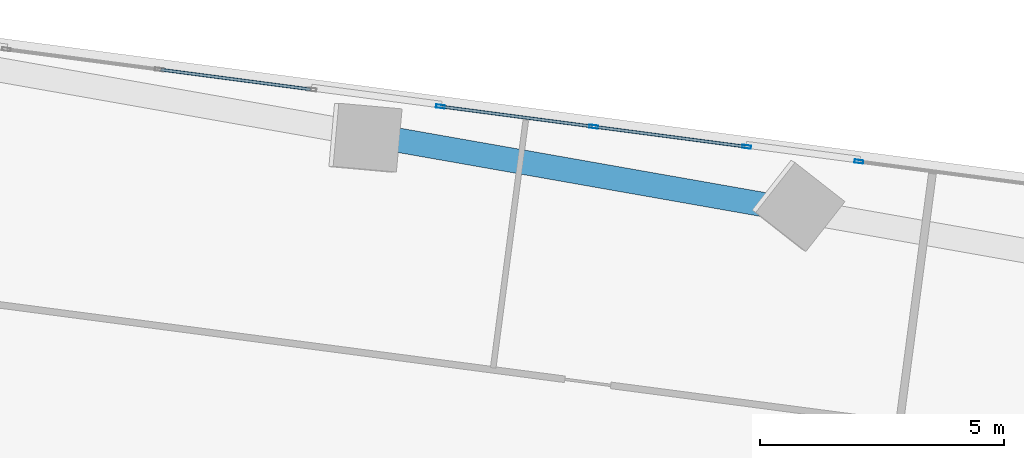
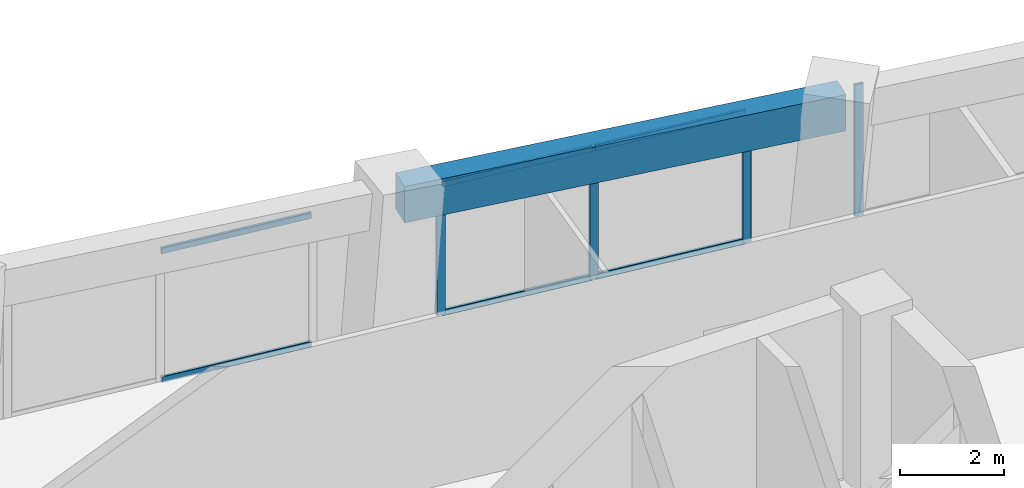
# One storey, part 14 of 24: 10 members, 1 beam, 3 elements without a shape of their own.
"""IFC4 building model written with IfcOpenShell, lengths in metres."""

import ifcopenshell
import ifcopenshell.guid

model = None  # the IFC model being written
_history = None  # IfcOwnerHistory: only IFC2X3 demands one
_inside = {}  # id of a spatial element -> (the spatial element, [elements in it])
_under = {}  # id of a project, library or spatial element -> (it, [spatial elements below it])
_declared = {}  # id of a project -> (the project, [libraries it declares])
_typed = {}  # id of a type object -> (the type object, [elements of that type])
_made_of = {}  # id of a material, layer set ... -> (it, [elements and type objects made of it])


def new_model(schema):
    """Start an empty IFC model of exactly this schema.

    Asked for "IFC4X3", IfcOpenShell would pick the latest addendum, in which some entities
    have other attributes; the version numbers below select the first issue.
    IFC2X3 requires an IfcOwnerHistory on every rooted entity: one is made here for all.
    """
    global model, _history
    if schema == "IFC4X3":
        model = ifcopenshell.file(schema_version=(4, 3, 0, 0))
    else:
        model = ifcopenshell.file(schema=schema)
    _inside.clear()
    _under.clear()
    _declared.clear()
    _typed.clear()
    _made_of.clear()
    _history = None
    if model.schema == "IFC2X3":
        org = make("IfcOrganization", Name="unknown")
        user = make(
            "IfcPersonAndOrganization",
            ThePerson=make("IfcPerson", FamilyName="unknown"),
            TheOrganization=org,
        )
        app = make(
            "IfcApplication",
            ApplicationDeveloper=org,
            Version="unknown",
            ApplicationFullName="unknown",
            ApplicationIdentifier="unknown",
        )
        _history = make(
            "IfcOwnerHistory",
            OwningUser=user,
            OwningApplication=app,
            ChangeAction="ADDED",
            CreationDate=0,
        )
    return model


def make(cls, **values):
    """One entity of the class cls with the attributes given. An attribute that is None is left unset."""
    return model.create_entity(
        cls, **{name: value for name, value in values.items() if value is not None}
    )


def rooted(cls, **values):
    """An entity with a GlobalId (a new one), such as an element, a storey or a relation."""
    return make(cls, GlobalId=ifcopenshell.guid.new(), OwnerHistory=_history, **values)


def si_unit(unit_type, name, prefix=None):
    """IfcSIUnit, for example si_unit("LENGTHUNIT", "METRE", prefix="MILLI")."""
    return make("IfcSIUnit", UnitType=unit_type, Prefix=prefix, Name=name)


def assignment(units):
    """IfcUnitAssignment: the units of a project."""
    return None if units is None else make("IfcUnitAssignment", Units=units)


def point(xyz):
    """IfcCartesianPoint."""
    return None if xyz is None else make("IfcCartesianPoint", Coordinates=xyz)


def direction(xyz):
    """IfcDirection."""
    return None if xyz is None else make("IfcDirection", DirectionRatios=xyz)


def frame(location, z_axis=None, x_axis=None):
    """IfcAxis2Placement3D, a coordinate frame: its origin and axes. An axis left out is left unset."""
    return make(
        "IfcAxis2Placement3D",
        Location=point(location),
        Axis=direction(z_axis),
        RefDirection=direction(x_axis),
    )


def frame_2d(location, x_axis=None):
    """IfcAxis2Placement2D, a coordinate frame in the plane: its origin and x axis."""
    return make(
        "IfcAxis2Placement2D", Location=point(location), RefDirection=direction(x_axis)
    )


def origin():
    """The frame at (0, 0, 0) with its axes left unset."""
    return frame((0.0, 0.0, 0.0))


def origin_2d():
    """The frame at (0, 0) in the plane with its x axis left unset."""
    return frame_2d((0.0, 0.0))


def place(relative_to, where):
    """IfcLocalPlacement: puts the frame where relative to a parent placement (None: the world)."""
    return make(
        "IfcLocalPlacement", PlacementRelTo=relative_to, RelativePlacement=where
    )


def context(
    kind, dimensions, precision=None, world=None, true_north=None, identifier=None
):
    """IfcGeometricRepresentationContext, for example the 3D "Model" context."""
    return make(
        "IfcGeometricRepresentationContext",
        ContextIdentifier=identifier,
        ContextType=kind,
        CoordinateSpaceDimension=dimensions,
        Precision=precision,
        WorldCoordinateSystem=world,
        TrueNorth=true_north,
    )


def subcontext(parent, identifier, kind, view, scale=None):
    """IfcGeometricRepresentationSubContext, for example "Body" below "Model"."""
    return make(
        "IfcGeometricRepresentationSubContext",
        ContextIdentifier=identifier,
        ContextType=kind,
        ParentContext=parent,
        TargetScale=scale,
        TargetView=view,
    )


def project(units=None, contexts=None):
    """IfcProject with its units and contexts."""
    return rooted(
        "IfcProject",
        Name="project",
        RepresentationContexts=contexts,
        UnitsInContext=assignment(units),
    )


def spatial(cls, under=None, at=None, **own):
    """A site, building, storey or space (cls), placed at a placement, below another one or the project."""
    s = rooted(cls, ObjectPlacement=at, **own)
    if under is not None:
        _under.setdefault(under.id(), (under, []))[1].append(s)
    return s


def profile(cls, at=None, kind="AREA", **sizes):
    """A parametric profile (cls). Its sizes go by their IFC names, for example OverallWidth=200.0."""
    return make(cls, ProfileType=kind, Position=at, **sizes)


def rectangle(**sizes):
    """IfcRectangleProfileDef."""
    return profile("IfcRectangleProfileDef", **sizes)


def hollow_rectangle(**sizes):
    """IfcRectangleHollowProfileDef."""
    return profile("IfcRectangleHollowProfileDef", **sizes)


def extrude(swept, where, along, depth):
    """IfcExtrudedAreaSolid: the profile swept, set in the frame where, extruded along a direction by depth."""
    return make(
        "IfcExtrudedAreaSolid",
        SweptArea=swept,
        Position=where,
        ExtrudedDirection=direction(along),
        Depth=depth,
    )


def shape(context_of_items, identifier, shape_type, items):
    """IfcShapeRepresentation: the items that make up one representation, for example the "Body"."""
    return make(
        "IfcShapeRepresentation",
        ContextOfItems=context_of_items,
        RepresentationIdentifier=identifier,
        RepresentationType=shape_type,
        Items=items,
    )


def source(mapping_origin, context_of_items, identifier, shape_type, items):
    """IfcRepresentationMap: a shape defined once, which mapped items show again and again."""
    return make(
        "IfcRepresentationMap",
        MappingOrigin=mapping_origin,
        MappedRepresentation=shape(context_of_items, identifier, shape_type, items),
    )


def transform(
    local_origin,
    x_axis=None,
    y_axis=None,
    z_axis=None,
    scale=None,
    scale2=None,
    scale3=None,
    uniform=True,
):
    """IfcCartesianTransformationOperator3D, or its non-uniform kind. x_axis, y_axis, z_axis: its Axis1, 2, 3."""
    if uniform:
        return make(
            "IfcCartesianTransformationOperator3D",
            Axis1=direction(x_axis),
            Axis2=direction(y_axis),
            LocalOrigin=point(local_origin),
            Scale=scale,
            Axis3=direction(z_axis),
        )
    return make(
        "IfcCartesianTransformationOperator3DnonUniform",
        Axis1=direction(x_axis),
        Axis2=direction(y_axis),
        LocalOrigin=point(local_origin),
        Scale=scale,
        Axis3=direction(z_axis),
        Scale2=scale2,
        Scale3=scale3,
    )


def mapped(mapping_source, mapping_target):
    """IfcMappedItem: shows the shape of a source again, moved by a transform."""
    return make(
        "IfcMappedItem", MappingSource=mapping_source, MappingTarget=mapping_target
    )


def material(Name=None, Category=None):
    """IfcMaterial."""
    return make("IfcMaterial", Name=Name, Category=Category)


def material_profile(
    of_material, cross_section, Name=None, Category=None, Priority=None
):
    """IfcMaterialProfile: a cross section and its material."""
    return make(
        "IfcMaterialProfile",
        Name=Name,
        Material=of_material,
        Profile=cross_section,
        Priority=Priority,
        Category=Category,
    )


def profile_set(profiles, Name=None, composite=None):
    """IfcMaterialProfileSet."""
    return make(
        "IfcMaterialProfileSet",
        Name=Name,
        MaterialProfiles=profiles,
        CompositeProfile=composite,
    )


def made_of(thing, what):
    """Note that an element or type object is made of a material, layer set ...; save() writes the relation."""
    if what is not None:
        _made_of.setdefault(what.id(), (what, []))[1].append(thing)
    return thing


def type_object(cls, material=None, **own):
    """A type object (cls), such as IfcWallType, which elements share."""
    return made_of(rooted(cls, **own), material)


def element(
    cls,
    number,
    at=None,
    inside=None,
    cuts=None,
    type_object=None,
    material=None,
    context=None,
    identifier="Body",
    shape_type=None,
    held_by="IfcProductDefinitionShape",
    body=None,
    shapes=None,
    **own,
):
    """One element of the class cls, such as IfcWall. Its Tag is "e" and its number.

    at: its placement. inside: the storey or other place that contains it. cuts: it is an
    opening in that element (IfcRelVoidsElement). A single representation is given by context,
    identifier, shape_type and body (its items); several are given by shapes. held_by: the class
    of the entity that holds the representations. save() writes the other relations.
    """
    e = rooted(cls, Tag="e%d" % number, ObjectPlacement=at, **own)
    if body is not None:
        shapes = [shape(context, identifier, shape_type, body)]
    if shapes is not None:
        e.Representation = make(held_by, Representations=shapes)
    if inside is not None:
        _inside.setdefault(inside.id(), (inside, []))[1].append(e)
    if cuts is not None:
        rooted(
            "IfcRelVoidsElement", RelatingBuildingElement=cuts, RelatedOpeningElement=e
        )
    if type_object is not None:
        _typed.setdefault(type_object.id(), (type_object, []))[1].append(e)
    return made_of(e, material)


def aggregate(whole, parts):
    """IfcRelAggregates: a whole, such as a stair, and the parts it consists of."""
    return rooted("IfcRelAggregates", RelatingObject=whole, RelatedObjects=parts)


def save(model, path):
    """Write the relations noted so far, then the file.

    IfcRelAggregates (storeys below a building ...), IfcRelContainedInSpatialStructure (elements
    in a storey), IfcRelDefinesByType, IfcRelAssociatesMaterial and IfcRelDeclares: one each for
    every whole, place, type object, material and project.
    """
    for whole, parts in _under.values():
        aggregate(whole, parts)
    for where, things in _inside.values():
        rooted(
            "IfcRelContainedInSpatialStructure",
            RelatedElements=things,
            RelatingStructure=where,
        )
    for kind, things in _typed.values():
        rooted("IfcRelDefinesByType", RelatedObjects=things, RelatingType=kind)
    for what, things in _made_of.values():
        rooted("IfcRelAssociatesMaterial", RelatedObjects=things, RelatingMaterial=what)
    for by, libraries in _declared.values():
        rooted("IfcRelDeclares", RelatingContext=by, RelatedDefinitions=libraries)
    model.write(path)


model = new_model("IFC4")

# Units and contexts
model_context = context("Model", 3, precision=1e-05, world=origin(), true_north=direction((0.0, 1.0)))
body_context = subcontext(model_context, "Body", "Model", "MODEL_VIEW")
ifc_project = project(units=[si_unit("LENGTHUNIT", "METRE"), si_unit("AREAUNIT", "SQUARE_METRE"), si_unit("VOLUMEUNIT", "CUBIC_METRE"), si_unit("PLANEANGLEUNIT", "RADIAN"), si_unit("MASSUNIT", "GRAM", prefix="KILO")], contexts=[model_context])

# Site, building, storey
site_placement = place(None, origin())
site = spatial("IfcSite", under=ifc_project, at=site_placement, CompositionType="ELEMENT")
building_placement = place(site_placement, origin())
building = spatial("IfcBuilding", under=site, at=building_placement, Name="Torre Montelarca", CompositionType="ELEMENT")
storey_placement = place(building_placement, frame((0.0, 0.0, 70.60009765625)))
storey = spatial("IfcBuildingStorey", under=building, at=storey_placement, Name="L15", CompositionType="ELEMENT", Elevation=70.60009765625)

# Beam
ifc_material_1 = material(Name="Concrete C55/67", Category="concrete")
ifc_material_profile_1 = material_profile(ifc_material_1, rectangle(XDim=0.5, YDim=0.85009765625, at=origin_2d()), Name="RCB500X850", Category="concrete")
ifc_profile_set_1 = profile_set([ifc_material_profile_1], Name="Concrete C55/67")
beam_type = type_object("IfcBeamType", Name="BM-SP-RC850-EXT", PredefinedType="SPANDREL", material=ifc_profile_set_1)
shared_shape_1 = source(origin(), body_context, "Body", "SweptSolid", [
    extrude(rectangle(XDim=0.5, YDim=0.85009765625, at=origin_2d()), origin(), (0.0, 0.0, 1.0), 9.0),
])
beam_placement = place(storey_placement, frame((20.683837890625, 47.527587890625, 3.534912109375), z_axis=(0.984809491212, -0.173638319558, 0.0), x_axis=(0.173638319558, 0.984809491212, 0.0)))
element("IfcBeam", 1, at=beam_placement, inside=storey, type_object=beam_type, Name="L15 Grid Girder X 18.0-27.0 at Y=47.1", PredefinedType="SPANDREL", context=body_context, shape_type="MappedRepresentation", body=[
    mapped(shared_shape_1, transform((0.0, 0.0, 0.0), scale=1.0)),
])

# Curtain wall, members
ifc_material_2 = material(Name="Insulated low-E laminated glass", Category="glass")
curtain_wall_type = type_object("IfcCurtainWallType", Name="CW-SYS-Z1", PredefinedType="USERDEFINED", material=ifc_material_2)
curtain_wall_1_placement = place(storey_placement, origin())
curtain_wall_1 = element("IfcCurtainWall", 2, at=curtain_wall_1_placement, inside=storey, type_object=curtain_wall_type, Name="L15 Curtain Wall Run CW-T3-L15-E08-B2", ObjectType="UNITISED GLAZING", PredefinedType="USERDEFINED")
ifc_material_3 = material(Name="Anodised aluminium AA 6063-T6", Category="aluminium")
ifc_material_profile_2 = material_profile(ifc_material_3, hollow_rectangle(XDim=0.06494140625, YDim=0.139892578125, WallThickness=0.00390625, InnerFilletRadius=0.00390625, OuterFilletRadius=0.008056640625, at=origin_2d()), Name="ALU65X140X4", Category="aluminium")
ifc_profile_set_2 = profile_set([ifc_material_profile_2], Name="Anodised aluminium AA 6063-T6")
member_type_1 = type_object("IfcMemberType", Name="CWT-ALU140", PredefinedType="USERDEFINED", material=ifc_profile_set_2)
shared_shape_2 = source(origin(), body_context, "Body", "SweptSolid", [
    extrude(hollow_rectangle(XDim=0.06494140625, YDim=0.139892578125, WallThickness=0.00390625, InnerFilletRadius=0.00390625, OuterFilletRadius=0.008056640625, at=origin_2d()), origin(), (0.0, 0.0, 1.0), 3.10498046875),
])
member_1_placement = place(storey_placement, frame((28.192138671875, 47.32763671875, 0.032470703125), z_axis=(-0.991444925907, 0.130525702039, 0.0), x_axis=(-0.130525702039, -0.991444925907, 0.0)))
member_1 = element("IfcMember", 3, at=member_1_placement, type_object=member_type_1, Name="CW transom 1.1", ObjectType="TRANSOM", PredefinedType="USERDEFINED", context=body_context, shape_type="MappedRepresentation", body=[
    mapped(shared_shape_2, transform((0.0, 0.0, 0.0), scale=1.0)),
])
member_2_placement = place(storey_placement, frame((28.192138671875, 47.32763671875, 3.04248046875), z_axis=(-0.991444925907, 0.130525702039, 0.0), x_axis=(-0.130525702039, -0.991444925907, 0.0)))
member_2 = element("IfcMember", 4, at=member_2_placement, type_object=member_type_1, Name="CW transom 1.2", ObjectType="TRANSOM", PredefinedType="USERDEFINED", context=body_context, shape_type="MappedRepresentation", body=[
    mapped(shared_shape_2, transform((0.0, 0.0, 0.0), scale=1.0)),
])
shared_shape_3 = source(origin(), body_context, "Body", "SweptSolid", [
    extrude(hollow_rectangle(XDim=0.06494140625, YDim=0.139892578125, WallThickness=0.00390625, InnerFilletRadius=0.00390625, OuterFilletRadius=0.008056640625, at=origin_2d()), origin(), (0.0, 0.0, 1.0), 3.105224609375),
])
member_3_placement = place(storey_placement, frame((25.04931640625, 47.741455078125, 0.032470703125), z_axis=(-0.991446265366, 0.130515527399, 0.0), x_axis=(-0.130515527399, -0.991446265366, 0.0)))
member_3 = element("IfcMember", 5, at=member_3_placement, type_object=member_type_1, Name="CW transom 2.1", ObjectType="TRANSOM", PredefinedType="USERDEFINED", context=body_context, shape_type="MappedRepresentation", body=[
    mapped(shared_shape_3, transform((0.0, 0.0, 0.0), scale=1.0)),
])
member_4_placement = place(storey_placement, frame((25.04931640625, 47.741455078125, 3.04248046875), z_axis=(-0.991446265366, 0.130515527399, 0.0), x_axis=(-0.130515527399, -0.991446265366, 0.0)))
member_4 = element("IfcMember", 6, at=member_4_placement, type_object=member_type_1, Name="CW transom 2.2", ObjectType="TRANSOM", PredefinedType="USERDEFINED", context=body_context, shape_type="MappedRepresentation", body=[
    mapped(shared_shape_3, transform((0.0, 0.0, 0.0), scale=1.0)),
])

curtain_wall_2_placement = place(storey_placement, origin())
curtain_wall_2 = element("IfcCurtainWall", 7, at=curtain_wall_2_placement, inside=storey, type_object=curtain_wall_type, Name="L15 Curtain Wall Run CW-T3-L15-E08-B3", ObjectType="UNITISED GLAZING", PredefinedType="USERDEFINED")
shared_shape_4 = source(origin(), body_context, "Body", "SweptSolid", [
    extrude(hollow_rectangle(XDim=0.06494140625, YDim=0.139892578125, WallThickness=0.00390625, InnerFilletRadius=0.00390625, OuterFilletRadius=0.008056640625, at=origin_2d()), origin(), (0.0, 0.0, 1.0), 3.101806640625),
])
member_5_placement = place(storey_placement, frame((19.271240234375, 48.502197265625, 0.032470703125), z_axis=(-0.99144786455, 0.130503378805, 0.0), x_axis=(-0.130503378805, -0.99144786455, 0.0)))
member_5 = element("IfcMember", 8, at=member_5_placement, type_object=member_type_1, Name="CW transom 1.1", ObjectType="TRANSOM", PredefinedType="USERDEFINED", context=body_context, shape_type="MappedRepresentation", body=[
    mapped(shared_shape_4, transform((0.0, 0.0, 0.0), scale=1.0)),
])
member_6_placement = place(storey_placement, frame((19.271240234375, 48.502197265625, 3.04248046875), z_axis=(-0.99144786455, 0.130503378805, 0.0), x_axis=(-0.130503378805, -0.99144786455, 0.0)))
member_6 = element("IfcMember", 9, at=member_6_placement, type_object=member_type_1, Name="CW transom 1.2", ObjectType="TRANSOM", PredefinedType="USERDEFINED", context=body_context, shape_type="MappedRepresentation", body=[
    mapped(shared_shape_4, transform((0.0, 0.0, 0.0), scale=1.0)),
])
aggregate(curtain_wall_2, [member_5, member_6])

# Curtain wall, member
curtain_wall_3_placement = place(storey_placement, origin())
curtain_wall_3 = element("IfcCurtainWall", 10, at=curtain_wall_3_placement, inside=storey, type_object=curtain_wall_type, Name="L15 Curtain Wall Run CW-T3-L15-E08-B1", ObjectType="UNITISED GLAZING", PredefinedType="USERDEFINED")
ifc_material_profile_3 = material_profile(ifc_material_3, hollow_rectangle(XDim=0.06494140625, YDim=0.179931640625, WallThickness=0.00390625, InnerFilletRadius=0.00390625, OuterFilletRadius=0.008056640625, at=origin_2d()), Name="ALU65X180X4", Category="aluminium")
ifc_profile_set_3 = profile_set([ifc_material_profile_3], Name="Anodised aluminium AA 6063-T6")
member_type_2 = type_object("IfcMemberType", Name="CWM-ALU180", PredefinedType="MULLION", material=ifc_profile_set_3)
shared_shape_5 = source(origin(), body_context, "Body", "SweptSolid", [
    extrude(hollow_rectangle(XDim=0.06494140625, YDim=0.179931640625, WallThickness=0.00390625, InnerFilletRadius=0.00390625, OuterFilletRadius=0.008056640625, at=origin_2d()), origin(), (0.0, 0.0, 1.0), 3.074951171875),
])
member_7_placement = place(storey_placement, frame((30.529541015625, 47.02001953125, 0.0), z_axis=(0.0, 0.0, 1.0), x_axis=(-0.130525286859, -0.991444980566, 0.0)))
member_7 = element("IfcMember", 11, at=member_7_placement, type_object=member_type_2, Name="CW mullion 3", PredefinedType="MULLION", context=body_context, shape_type="MappedRepresentation", body=[
    mapped(shared_shape_5, transform((0.0, 0.0, 0.0), scale=1.0)),
])
aggregate(curtain_wall_3, [member_7])

# Member
member_8_placement = place(storey_placement, frame((28.224365234375, 47.323486328125, 0.0), z_axis=(0.0, 0.0, 1.0), x_axis=(-0.13052115003, -0.991445525178, 0.0)))
member_8 = element("IfcMember", 12, at=member_8_placement, type_object=member_type_2, Name="CW mullion 1", PredefinedType="MULLION", context=body_context, shape_type="MappedRepresentation", body=[
    mapped(shared_shape_5, transform((0.0, 0.0, 0.0), scale=1.0)),
])

member_9_placement = place(storey_placement, frame((25.08154296875, 47.7373046875, 0.0), z_axis=(0.0, 0.0, 1.0), x_axis=(-0.13052115003, -0.991445525178, 0.0)))
member_9 = element("IfcMember", 13, at=member_9_placement, type_object=member_type_2, Name="CW mullion 2", PredefinedType="MULLION", context=body_context, shape_type="MappedRepresentation", body=[
    mapped(shared_shape_5, transform((0.0, 0.0, 0.0), scale=1.0)),
])

member_10_placement = place(storey_placement, frame((21.9384765625, 48.15087890625, 0.0), z_axis=(0.0, 0.0, 1.0), x_axis=(-0.13052115003, -0.991445525178, 0.0)))
member_10 = element("IfcMember", 14, at=member_10_placement, type_object=member_type_2, Name="CW mullion 3", PredefinedType="MULLION", context=body_context, shape_type="MappedRepresentation", body=[
    mapped(shared_shape_5, transform((0.0, 0.0, 0.0), scale=1.0)),
])

aggregate(curtain_wall_1, [member_8, member_9, member_10, member_1, member_2, member_3, member_4])

save(model, "model.ifc")
